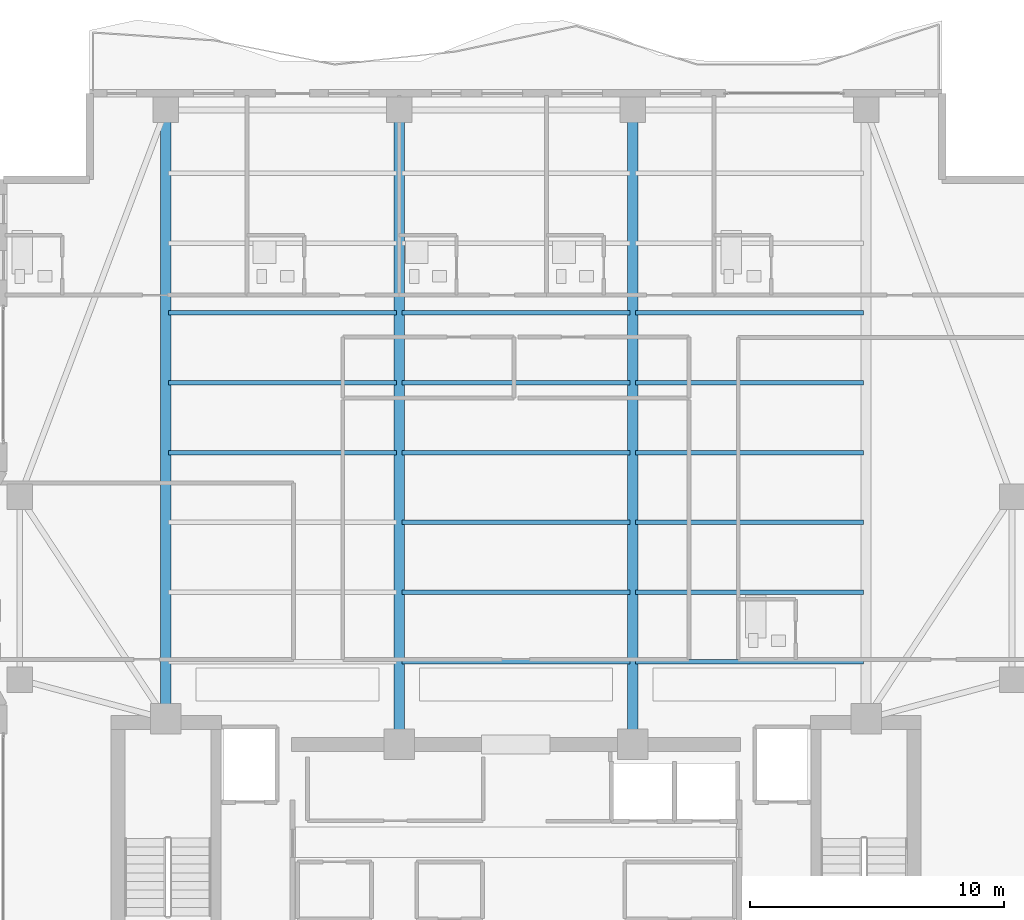
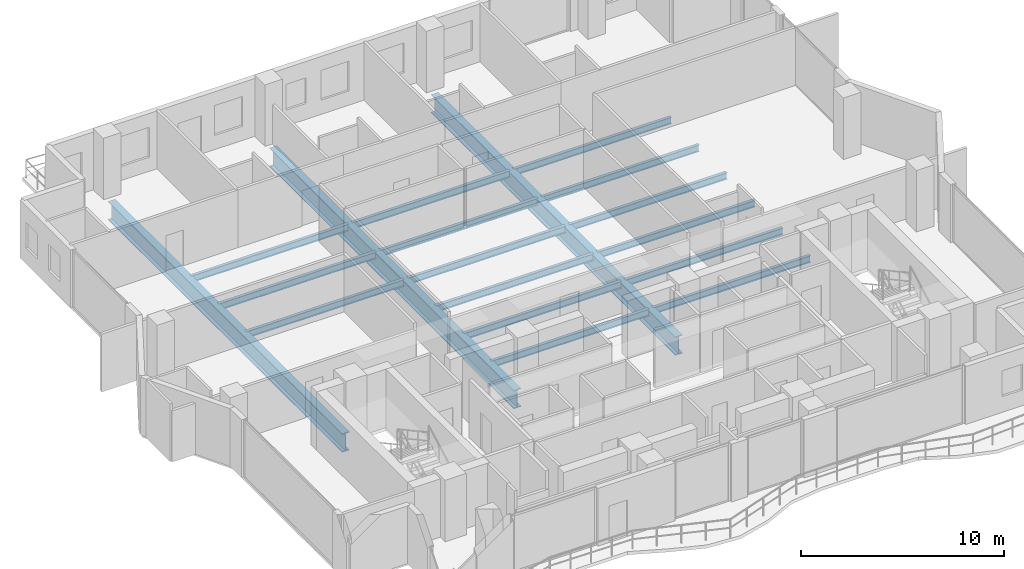
# One storey, part 7 of 25: 18 beams.
"""IFC4 building model written with IfcOpenShell, lengths in metres."""

from ifc_helpers import new_model, si_unit, direction, frame, origin, origin_2d, place, context, subcontext, project, spatial, i_section, extrude, material, material_profile, profile_set, type_object, element, save


model = new_model("IFC4")

# Units and contexts
model_context = context("Model", 3, precision=1e-05, world=origin(), true_north=direction((0.0, 1.0)))
body_context = subcontext(model_context, "Body", "Model", "MODEL_VIEW")
ifc_project = project(units=[si_unit("LENGTHUNIT", "METRE"), si_unit("AREAUNIT", "SQUARE_METRE"), si_unit("VOLUMEUNIT", "CUBIC_METRE"), si_unit("PLANEANGLEUNIT", "RADIAN"), si_unit("MASSUNIT", "GRAM", prefix="KILO")], contexts=[model_context])

# Site, building, storey
site_placement = place(None, origin())
site = spatial("IfcSite", under=ifc_project, at=site_placement, CompositionType="ELEMENT")
building_placement = place(site_placement, origin())
building = spatial("IfcBuilding", under=site, at=building_placement, Name="Zuhayl Quay Hotel", CompositionType="ELEMENT")
storey_placement = place(building_placement, frame((0.0, 0.0, 243.35009765625)))
storey = spatial("IfcBuildingStorey", under=building, at=storey_placement, Name="L61", CompositionType="ELEMENT", Elevation=243.35009765625)

# Beams
ifc_material_1 = material(Name="Steel ASTM A992 Grade 50", Category="steel")
ifc_material_profile_1 = material_profile(ifc_material_1, i_section(OverallWidth=0.177978515625, OverallDepth=0.404052734375, WebThickness=0.007568359375, FlangeThickness=0.010986328125, at=origin_2d()), Name="W16X36")
ifc_profile_set_1 = profile_set([ifc_material_profile_1], Name="Steel ASTM A992 Grade 50")
beam_type_1 = type_object("IfcBeamType", Name="BM_J3_W16X36", PredefinedType="JOIST", material=ifc_profile_set_1)
beam_1_placement = place(storey_placement, frame((-4.493896484375, 16.60009765625, -0.422119140625), z_axis=(1.0, 0.0, 0.0), x_axis=(0.0, 1.0, 0.0)))
element("IfcBeam", 1, at=beam_1_placement, inside=storey, type_object=beam_type_1, Name="L61 Floor Beam FJ_L61_1_2", PredefinedType="JOIST", context=body_context, shape_type="SweptSolid", body=[
    extrude(i_section(OverallWidth=0.177978515625, OverallDepth=0.404052734375, WebThickness=0.007568359375, FlangeThickness=0.010986328125, at=origin_2d()), origin(), (0.0, 0.0, 1.0), 8.98779296875),
])
beam_2_placement = place(storey_placement, frame((4.7060546875, 16.60009765625, -0.422119140625), z_axis=(1.0, 0.0, 0.0), x_axis=(0.0, 1.0, 0.0)))
element("IfcBeam", 2, at=beam_2_placement, inside=storey, type_object=beam_type_1, Name="L61 Floor Beam FJ_L61_1_3", PredefinedType="JOIST", context=body_context, shape_type="SweptSolid", body=[
    extrude(i_section(OverallWidth=0.177978515625, OverallDepth=0.404052734375, WebThickness=0.007568359375, FlangeThickness=0.010986328125, at=origin_2d()), origin(), (0.0, 0.0, 1.0), 8.988037109375),
])
beam_3_placement = place(storey_placement, frame((-4.493896484375, 19.35009765625, -0.422119140625), z_axis=(1.0, 0.0, 0.0), x_axis=(0.0, 1.0, 0.0)))
element("IfcBeam", 3, at=beam_3_placement, inside=storey, type_object=beam_type_1, Name="L61 Floor Beam FJ_L61_2_2", PredefinedType="JOIST", context=body_context, shape_type="SweptSolid", body=[
    extrude(i_section(OverallWidth=0.177978515625, OverallDepth=0.404052734375, WebThickness=0.007568359375, FlangeThickness=0.010986328125, at=origin_2d()), origin(), (0.0, 0.0, 1.0), 8.98779296875),
])
beam_4_placement = place(storey_placement, frame((4.7060546875, 19.35009765625, -0.422119140625), z_axis=(1.0, 0.0, 0.0), x_axis=(0.0, 1.0, 0.0)))
element("IfcBeam", 4, at=beam_4_placement, inside=storey, type_object=beam_type_1, Name="L61 Floor Beam FJ_L61_2_3", PredefinedType="JOIST", context=body_context, shape_type="SweptSolid", body=[
    extrude(i_section(OverallWidth=0.177978515625, OverallDepth=0.404052734375, WebThickness=0.007568359375, FlangeThickness=0.010986328125, at=origin_2d()), origin(), (0.0, 0.0, 1.0), 8.988037109375),
])
beam_5_placement = place(storey_placement, frame((-4.493896484375, 22.10009765625, -0.422119140625), z_axis=(1.0, 0.0, 0.0), x_axis=(0.0, 1.0, 0.0)))
element("IfcBeam", 5, at=beam_5_placement, inside=storey, type_object=beam_type_1, Name="L61 Floor Beam FJ_L61_3_2", PredefinedType="JOIST", context=body_context, shape_type="SweptSolid", body=[
    extrude(i_section(OverallWidth=0.177978515625, OverallDepth=0.404052734375, WebThickness=0.007568359375, FlangeThickness=0.010986328125, at=origin_2d()), origin(), (0.0, 0.0, 1.0), 8.98779296875),
])
for number, where, z_axis, x_axis, name in (
    (6, (4.7060546875, 22.10009765625, -0.422119140625), (1.0, 0.0, 0.0), (0.0, 1.0, 0.0), "L61 Floor Beam FJ_L61_3_3"),
    (7, (-13.694091796875, 24.85009765625, -0.422119140625), (1.0, 0.0, 0.0), (0.0, 1.0, 0.0), "L61 Floor Beam FJ_L61_4_1"),
):
    element("IfcBeam", number, at=place(storey_placement, frame(where, z_axis=z_axis, x_axis=x_axis)), inside=storey, type_object=beam_type_1, Name=name, PredefinedType="JOIST", context=body_context, shape_type="SweptSolid", body=[
        extrude(i_section(OverallWidth=0.177978515625, OverallDepth=0.404052734375, WebThickness=0.007568359375, FlangeThickness=0.010986328125, at=origin_2d()), origin(), (0.0, 0.0, 1.0), 8.988037109375),
    ])
beam_6_placement = place(storey_placement, frame((-4.493896484375, 24.85009765625, -0.422119140625), z_axis=(1.0, 0.0, 0.0), x_axis=(0.0, 1.0, 0.0)))
element("IfcBeam", 8, at=beam_6_placement, inside=storey, type_object=beam_type_1, Name="L61 Floor Beam FJ_L61_4_2", PredefinedType="JOIST", context=body_context, shape_type="SweptSolid", body=[
    extrude(i_section(OverallWidth=0.177978515625, OverallDepth=0.404052734375, WebThickness=0.007568359375, FlangeThickness=0.010986328125, at=origin_2d()), origin(), (0.0, 0.0, 1.0), 8.98779296875),
])
for number, where, z_axis, x_axis, name in (
    (9, (4.7060546875, 24.85009765625, -0.422119140625), (1.0, 0.0, 0.0), (0.0, 1.0, 0.0), "L61 Floor Beam FJ_L61_4_3"),
    (10, (-13.694091796875, 27.60009765625, -0.422119140625), (1.0, 0.0, 0.0), (0.0, 1.0, 0.0), "L61 Floor Beam FJ_L61_5_1"),
):
    element("IfcBeam", number, at=place(storey_placement, frame(where, z_axis=z_axis, x_axis=x_axis)), inside=storey, type_object=beam_type_1, Name=name, PredefinedType="JOIST", context=body_context, shape_type="SweptSolid", body=[
        extrude(i_section(OverallWidth=0.177978515625, OverallDepth=0.404052734375, WebThickness=0.007568359375, FlangeThickness=0.010986328125, at=origin_2d()), origin(), (0.0, 0.0, 1.0), 8.988037109375),
    ])
beam_7_placement = place(storey_placement, frame((-4.493896484375, 27.60009765625, -0.422119140625), z_axis=(1.0, 0.0, 0.0), x_axis=(0.0, 1.0, 0.0)))
element("IfcBeam", 11, at=beam_7_placement, inside=storey, type_object=beam_type_1, Name="L61 Floor Beam FJ_L61_5_2", PredefinedType="JOIST", context=body_context, shape_type="SweptSolid", body=[
    extrude(i_section(OverallWidth=0.177978515625, OverallDepth=0.404052734375, WebThickness=0.007568359375, FlangeThickness=0.010986328125, at=origin_2d()), origin(), (0.0, 0.0, 1.0), 8.98779296875),
])
for number, where, z_axis, x_axis, name in (
    (12, (4.7060546875, 27.60009765625, -0.422119140625), (1.0, 0.0, 0.0), (0.0, 1.0, 0.0), "L61 Floor Beam FJ_L61_5_3"),
    (13, (-13.694091796875, 30.35009765625, -0.422119140625), (1.0, 0.0, 0.0), (0.0, 1.0, 0.0), "L61 Floor Beam FJ_L61_6_1"),
):
    element("IfcBeam", number, at=place(storey_placement, frame(where, z_axis=z_axis, x_axis=x_axis)), inside=storey, type_object=beam_type_1, Name=name, PredefinedType="JOIST", context=body_context, shape_type="SweptSolid", body=[
        extrude(i_section(OverallWidth=0.177978515625, OverallDepth=0.404052734375, WebThickness=0.007568359375, FlangeThickness=0.010986328125, at=origin_2d()), origin(), (0.0, 0.0, 1.0), 8.988037109375),
    ])
beam_8_placement = place(storey_placement, frame((-4.493896484375, 30.35009765625, -0.422119140625), z_axis=(1.0, 0.0, 0.0), x_axis=(0.0, 1.0, 0.0)))
element("IfcBeam", 14, at=beam_8_placement, inside=storey, type_object=beam_type_1, Name="L61 Floor Beam FJ_L61_6_2", PredefinedType="JOIST", context=body_context, shape_type="SweptSolid", body=[
    extrude(i_section(OverallWidth=0.177978515625, OverallDepth=0.404052734375, WebThickness=0.007568359375, FlangeThickness=0.010986328125, at=origin_2d()), origin(), (0.0, 0.0, 1.0), 8.98779296875),
])
beam_9_placement = place(storey_placement, frame((4.7060546875, 30.35009765625, -0.422119140625), z_axis=(1.0, 0.0, 0.0), x_axis=(0.0, 1.0, 0.0)))
element("IfcBeam", 15, at=beam_9_placement, inside=storey, type_object=beam_type_1, Name="L61 Floor Beam FJ_L61_6_3", PredefinedType="JOIST", context=body_context, shape_type="SweptSolid", body=[
    extrude(i_section(OverallWidth=0.177978515625, OverallDepth=0.404052734375, WebThickness=0.007568359375, FlangeThickness=0.010986328125, at=origin_2d()), origin(), (0.0, 0.0, 1.0), 8.988037109375),
])
ifc_material_2 = material(Name="Steel ASTM A913 Grade 65", Category="steel")
ifc_material_profile_2 = material_profile(ifc_material_2, i_section(OverallWidth=0.404052734375, OverallDepth=1.117919921875, WebThickness=0.026123046875, FlangeThickness=0.044921875, at=origin_2d()), Name="W44X335")
ifc_profile_set_2 = profile_set([ifc_material_profile_2], Name="Steel ASTM A913 Grade 65")
beam_type_2 = type_object("IfcBeamType", Name="BM_TG1_W44X335", PredefinedType="BEAM", material=ifc_profile_set_2)
beam_10_placement = place(storey_placement, frame((-13.800048828125, 14.800048828125, -0.779052734375), z_axis=(0.0, 1.0, 0.0), x_axis=(-1.0, 0.0, 0.0)))
element("IfcBeam", 16, at=beam_10_placement, inside=storey, type_object=beam_type_2, Name="L61 Floor Beam FG_N_L61_1", PredefinedType="BEAM", context=body_context, shape_type="SweptSolid", body=[
    extrude(i_section(OverallWidth=0.404052734375, OverallDepth=1.117919921875, WebThickness=0.026123046875, FlangeThickness=0.044921875, at=origin_2d()), origin(), (0.0, 0.0, 1.0), 23.08984375),
])
for number, where, z_axis, x_axis, name in (
    (17, (-4.60009765625, 13.800048828125, -0.779052734375), (0.0, 1.0, 0.0), (-1.0, 0.0, 0.0), "L61 Floor Beam FG_N_L61_2"),
    (18, (4.60009765625, 13.800048828125, -0.779052734375), (0.0, 1.0, 0.0), (-1.0, 0.0, 0.0), "L61 Floor Beam FG_N_L61_3"),
):
    element("IfcBeam", number, at=place(storey_placement, frame(where, z_axis=z_axis, x_axis=x_axis)), inside=storey, type_object=beam_type_2, Name=name, PredefinedType="BEAM", context=body_context, shape_type="SweptSolid", body=[
        extrude(i_section(OverallWidth=0.404052734375, OverallDepth=1.117919921875, WebThickness=0.026123046875, FlangeThickness=0.044921875, at=origin_2d()), origin(), (0.0, 0.0, 1.0), 24.08984375),
    ])

save(model, "model.ifc")
